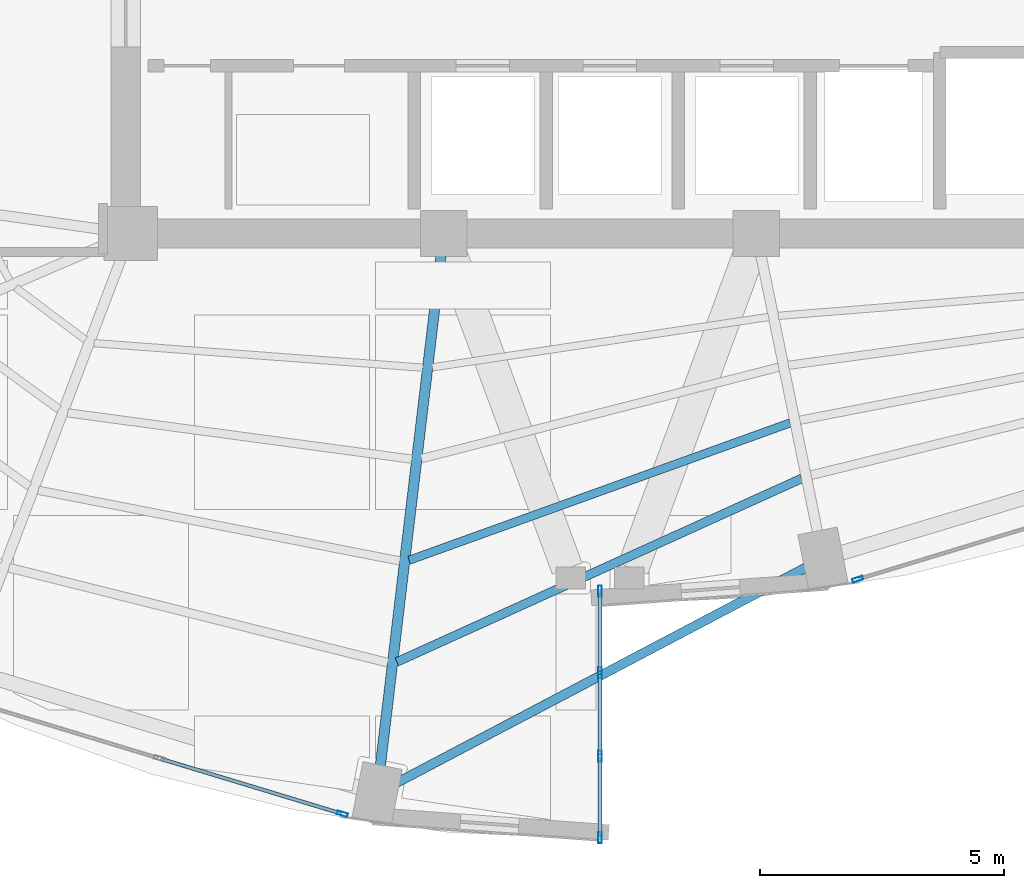
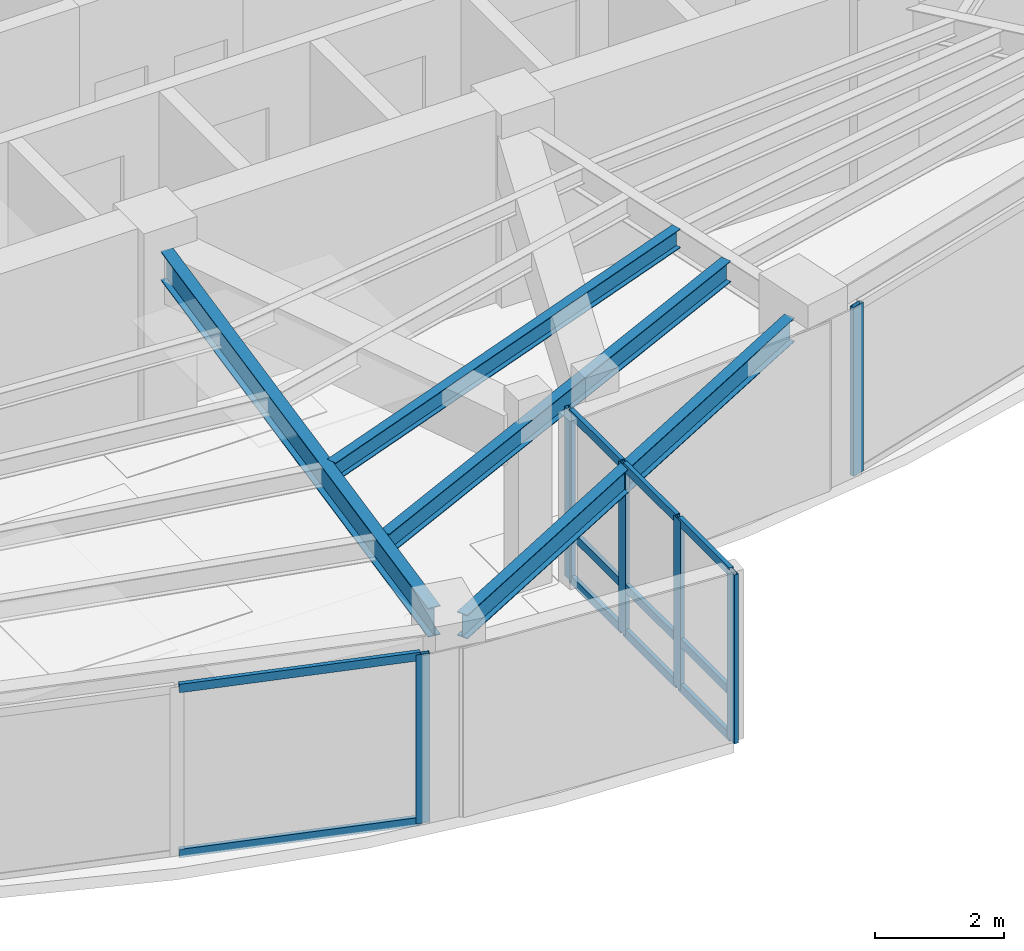
# One storey, part 4 of 20: 17 members, 4 beams, 3 elements without a shape of their own.
"""IFC4 building model written with IfcOpenShell, lengths in metres."""

from ifc_helpers import new_model, si_unit, direction, frame, origin, origin_2d, place, context, subcontext, project, spatial, hollow_rectangle, i_section, extrude, material, layer, layer_set, material_profile, profile_set, type_object, element, aggregate, save


model = new_model("IFC4")

# Units and contexts
model_context = context("Model", 3, precision=1e-05, world=origin(), true_north=direction((0.0, 1.0)))
body_context = subcontext(model_context, "Body", "Model", "MODEL_VIEW")
ifc_project = project(units=[si_unit("LENGTHUNIT", "METRE"), si_unit("AREAUNIT", "SQUARE_METRE"), si_unit("VOLUMEUNIT", "CUBIC_METRE"), si_unit("PLANEANGLEUNIT", "RADIAN"), si_unit("MASSUNIT", "GRAM", prefix="KILO")], contexts=[model_context])

# Site, building, storey
site_placement = place(None, origin())
site = spatial("IfcSite", under=ifc_project, at=site_placement, CompositionType="ELEMENT")
building_placement = place(site_placement, origin())
building = spatial("IfcBuilding", under=site, at=building_placement, Name="Lazwardi Medical Tower", CompositionType="ELEMENT")
storey_placement = place(building_placement, frame((0.0, 0.0, 185.7119140625)))
storey = spatial("IfcBuildingStorey", under=building, at=storey_placement, Name="L48", CompositionType="ELEMENT", Elevation=185.7119140625)

# Beams
ifc_material_1 = material(Name="Steel S355", Category="steel")
ifc_material_profile_1 = material_profile(ifc_material_1, i_section(OverallWidth=0.2099609375, OverallDepth=0.550048828125, WebThickness=0.010986328125, FlangeThickness=0.01708984375, at=origin_2d()), Name="IPE 550")
ifc_profile_set_1 = profile_set([ifc_material_profile_1], Name="Steel S355")
beam_type_1 = type_object("IfcBeamType", Name="BM-RG-W2", PredefinedType="BEAM", material=ifc_profile_set_1)
beam_1_placement = place(storey_placement, frame((31.505859375, 9.50732421875, 2.923095703125), z_axis=(0.117968004211, 0.993017396616, 0.0), x_axis=(-0.993017396616, 0.117968004211, 0.0)))
element("IfcBeam", 1, at=beam_1_placement, inside=storey, type_object=beam_type_1, Name="Radial girder RG-03 R16 L48", PredefinedType="BEAM", context=body_context, shape_type="SweptSolid", body=[
    extrude(i_section(OverallWidth=0.2099609375, OverallDepth=0.550048828125, WebThickness=0.010986328125, FlangeThickness=0.01708984375, at=origin_2d()), origin(), (0.0, 0.0, 1.0), 10.50927734375),
])
ifc_material_profile_2 = material_profile(ifc_material_1, i_section(OverallWidth=0.179931640625, OverallDepth=0.39990234375, WebThickness=0.008544921875, FlangeThickness=0.013427734375, at=origin_2d()), Name="IPE 400")
ifc_profile_set_2 = profile_set([ifc_material_profile_2], Name="Steel S355")
beam_type_2 = type_object("IfcBeamType", Name="BM-SJ-01", PredefinedType="JOIST", material=ifc_profile_set_2)
beam_2_placement = place(storey_placement, frame((31.844970703125, 11.6357421875, 2.998046875), z_axis=(0.910834000674, 0.412772846995, 0.0), x_axis=(-0.412772846995, 0.910834000674, 0.0)))
element("IfcBeam", 2, at=beam_2_placement, inside=storey, type_object=beam_type_2, Name="Secondary joist SJ-01 R1 B16 L48", PredefinedType="JOIST", context=body_context, shape_type="SweptSolid", body=[
    extrude(i_section(OverallWidth=0.179931640625, OverallDepth=0.39990234375, WebThickness=0.008544921875, FlangeThickness=0.013427734375, at=origin_2d()), origin(), (0.0, 0.0, 1.0), 9.09130859375),
])
ifc_material_profile_3 = material_profile(ifc_material_1, i_section(OverallWidth=0.169921875, OverallDepth=0.360107421875, WebThickness=0.008056640625, FlangeThickness=0.0126953125, at=origin_2d()), Name="IPE 360")
ifc_profile_set_3 = profile_set([ifc_material_profile_3], Name="Steel S355")
beam_type_3 = type_object("IfcBeamType", Name="BM-SJ-02", PredefinedType="JOIST", material=ifc_profile_set_3)
beam_3_placement = place(storey_placement, frame((32.095947265625, 13.715576171875, 3.01806640625), z_axis=(0.940747993319, 0.339106492221, 0.0), x_axis=(-0.339106492221, 0.940747993319, 0.0)))
element("IfcBeam", 3, at=beam_3_placement, inside=storey, type_object=beam_type_3, Name="Secondary joist SJ-02 R2 B16 L48", PredefinedType="JOIST", context=body_context, shape_type="SweptSolid", body=[
    extrude(i_section(OverallWidth=0.169921875, OverallDepth=0.360107421875, WebThickness=0.008056640625, FlangeThickness=0.0126953125, at=origin_2d()), origin(), (0.0, 0.0, 1.0), 8.28662109375),
])
ifc_material_profile_4 = material_profile(ifc_material_1, i_section(OverallWidth=0.18994140625, OverallDepth=0.449951171875, WebThickness=0.009521484375, FlangeThickness=0.0146484375, at=origin_2d()), Name="IPE 450")
ifc_profile_set_4 = profile_set([ifc_material_profile_4], Name="Steel S355")
beam_type_4 = type_object("IfcBeamType", Name="BM-SP-01", PredefinedType="SPANDREL", material=ifc_profile_set_4)
beam_4_placement = place(storey_placement, frame((31.793701171875, 9.137451171875, 2.97314453125), z_axis=(0.884926578414, 0.465730556026, 0.0), x_axis=(-0.465730556026, 0.884926578414, 0.0)))
element("IfcBeam", 4, at=beam_4_placement, inside=storey, type_object=beam_type_4, Name="Spandrel beam SP-01 B16 L48", PredefinedType="SPANDREL", context=body_context, shape_type="SweptSolid", body=[
    extrude(i_section(OverallWidth=0.18994140625, OverallDepth=0.449951171875, WebThickness=0.009521484375, FlangeThickness=0.0146484375, at=origin_2d()), origin(), (0.0, 0.0, 1.0), 9.506591796875),
])

# Curtain wall, member
ifc_material_2 = material(Name="Anodised bronze aluminium and solar control glazing", Category="aluminium")
ifc_layer_1 = layer(ifc_material_2, 0.195068359375)
ifc_layer_set_1 = layer_set([ifc_layer_1], Name="Anodised bronze aluminium and solar control glazing")
curtain_wall_type_1 = type_object("IfcCurtainWallType", Name="CW-SYS-03", PredefinedType="NOTDEFINED", material=ifc_layer_set_1)
curtain_wall_1_placement = place(storey_placement, origin())
curtain_wall_1 = element("IfcCurtainWall", 5, at=curtain_wall_1_placement, inside=storey, type_object=curtain_wall_type_1, Name="L48 Unitised bronze curtain wall CW-03", PredefinedType="NOTDEFINED")
ifc_material_3 = material(Name="Anodised bronze aluminium", Category="aluminium")
ifc_material_profile_5 = material_profile(ifc_material_3, hollow_rectangle(XDim=0.074951171875, YDim=0.219970703125, WallThickness=0.00390625, at=origin_2d()), Name="ALU-MULLION 220x75x4")
ifc_profile_set_5 = profile_set([ifc_material_profile_5], Name="Anodised bronze aluminium")
member_type_1 = type_object("IfcMemberType", Name="CW-MUL-01", PredefinedType="MULLION", material=ifc_profile_set_5)
member_1_placement = place(storey_placement, frame((41.27197265625, 13.325927734375, 0.0), z_axis=(0.0, 0.0, 1.0), x_axis=(-0.290280785441, 0.956941516292, 0.0)))
member_1 = element("IfcMember", 6, at=member_1_placement, type_object=member_type_1, Name="CW-03 mullion 1", PredefinedType="MULLION", context=body_context, shape_type="SweptSolid", body=[
    extrude(hollow_rectangle(XDim=0.074951171875, YDim=0.219970703125, WallThickness=0.00390625, at=origin_2d()), origin(), (0.0, 0.0, 1.0), 3.197998046875),
])
aggregate(curtain_wall_1, [member_1])

curtain_wall_2_placement = place(storey_placement, origin())
curtain_wall_2 = element("IfcCurtainWall", 7, at=curtain_wall_2_placement, inside=storey, type_object=curtain_wall_type_1, Name="L48 Unitised bronze curtain wall CW-03", PredefinedType="NOTDEFINED")
member_2_placement = place(storey_placement, frame((30.72802734375, 8.52587890625, 0.0), z_axis=(0.0, 0.0, 1.0), x_axis=(0.290280785441, 0.956941516292, 0.0)))
member_2 = element("IfcMember", 8, at=member_2_placement, type_object=member_type_1, Name="CW-03 mullion 3", PredefinedType="MULLION", context=body_context, shape_type="SweptSolid", body=[
    extrude(hollow_rectangle(XDim=0.074951171875, YDim=0.219970703125, WallThickness=0.00390625, at=origin_2d()), origin(), (0.0, 0.0, 1.0), 3.197998046875),
])

# Curtain wall, members
ifc_layer_2 = layer(ifc_material_2, 0.2099609375)
ifc_layer_set_2 = layer_set([ifc_layer_2], Name="Anodised bronze aluminium and solar control glazing")
curtain_wall_type_2 = type_object("IfcCurtainWallType", Name="CW-SYS-06", PredefinedType="NOTDEFINED", material=ifc_layer_set_2)
curtain_wall_3_placement = place(storey_placement, origin())
curtain_wall_3 = element("IfcCurtainWall", 9, at=curtain_wall_3_placement, inside=storey, type_object=curtain_wall_type_2, Name="L48 Unitised bronze curtain wall CW-06", PredefinedType="NOTDEFINED")
member_3_placement = place(storey_placement, frame((36.0, 8.03759765625, 0.0), z_axis=(0.0, 0.0, 1.0), x_axis=(-1.0, 0.0, 0.0)))
member_3 = element("IfcMember", 10, at=member_3_placement, type_object=member_type_1, Name="CW-06 mullion 1", PredefinedType="MULLION", context=body_context, shape_type="SweptSolid", body=[
    extrude(hollow_rectangle(XDim=0.074951171875, YDim=0.219970703125, WallThickness=0.00390625, at=origin_2d()), origin(), (0.0, 0.0, 1.0), 3.197998046875),
])
member_4_placement = place(storey_placement, frame((36.0, 9.706787109375, 0.0), z_axis=(0.0, 0.0, 1.0), x_axis=(-1.0, 0.0, 0.0)))
member_4 = element("IfcMember", 11, at=member_4_placement, type_object=member_type_1, Name="CW-06 mullion 2", PredefinedType="MULLION", context=body_context, shape_type="SweptSolid", body=[
    extrude(hollow_rectangle(XDim=0.074951171875, YDim=0.219970703125, WallThickness=0.00390625, at=origin_2d()), origin(), (0.0, 0.0, 1.0), 3.197998046875),
])
member_5_placement = place(storey_placement, frame((36.0, 11.413330078125, 0.0), z_axis=(0.0, 0.0, 1.0), x_axis=(-1.0, 0.0, 0.0)))
member_5 = element("IfcMember", 12, at=member_5_placement, type_object=member_type_1, Name="CW-06 mullion 3", PredefinedType="MULLION", context=body_context, shape_type="SweptSolid", body=[
    extrude(hollow_rectangle(XDim=0.074951171875, YDim=0.219970703125, WallThickness=0.00390625, at=origin_2d()), origin(), (0.0, 0.0, 1.0), 3.197998046875),
])
member_6_placement = place(storey_placement, frame((36.0, 13.08251953125, 0.0), z_axis=(0.0, 0.0, 1.0), x_axis=(-1.0, 0.0, 0.0)))
member_6 = element("IfcMember", 13, at=member_6_placement, type_object=member_type_1, Name="CW-06 mullion 4", PredefinedType="MULLION", context=body_context, shape_type="SweptSolid", body=[
    extrude(hollow_rectangle(XDim=0.074951171875, YDim=0.219970703125, WallThickness=0.00390625, at=origin_2d()), origin(), (0.0, 0.0, 1.0), 3.197998046875),
])

# Member
ifc_material_profile_6 = material_profile(ifc_material_3, hollow_rectangle(XDim=0.074951171875, YDim=0.159912109375, WallThickness=0.00390625, at=origin_2d()), Name="ALU-TRANSOM 160x75x4")
ifc_profile_set_6 = profile_set([ifc_material_profile_6], Name="Anodised bronze aluminium")
member_type_2 = type_object("IfcMemberType", Name="CW-TRN-01", PredefinedType="USERDEFINED", material=ifc_profile_set_6)
member_7_placement = place(storey_placement, frame((27.020751953125, 9.650390625, 0.03759765625), z_axis=(0.95695319357, -0.290242287264, 0.0), x_axis=(0.290242287264, 0.95695319357, 0.0)))
member_7 = element("IfcMember", 14, at=member_7_placement, type_object=member_type_2, Name="CW-03 transom 2.1", ObjectType="TRANSOM", PredefinedType="USERDEFINED", context=body_context, shape_type="SweptSolid", body=[
    extrude(hollow_rectangle(XDim=0.074951171875, YDim=0.159912109375, WallThickness=0.00390625, at=origin_2d()), origin(), (0.0, 0.0, 1.0), 3.83642578125),
])

member_8_placement = place(storey_placement, frame((27.020751953125, 9.650390625, 3.16064453125), z_axis=(0.95695319357, -0.290242287264, 0.0), x_axis=(0.290242287264, 0.95695319357, 0.0)))
member_8 = element("IfcMember", 15, at=member_8_placement, type_object=member_type_2, Name="CW-03 transom 2.2", ObjectType="TRANSOM", PredefinedType="USERDEFINED", context=body_context, shape_type="SweptSolid", body=[
    extrude(hollow_rectangle(XDim=0.074951171875, YDim=0.159912109375, WallThickness=0.00390625, at=origin_2d()), origin(), (0.0, 0.0, 1.0), 3.83642578125),
])

aggregate(curtain_wall_2, [member_2, member_7, member_8])

member_9_placement = place(storey_placement, frame((36.0, 8.074951171875, 0.03759765625), z_axis=(0.0, 1.0, 0.0), x_axis=(-1.0, 0.0, 0.0)))
member_9 = element("IfcMember", 16, at=member_9_placement, type_object=member_type_2, Name="CW-06 transom 1.1", ObjectType="TRANSOM", PredefinedType="USERDEFINED", context=body_context, shape_type="SweptSolid", body=[
    extrude(hollow_rectangle(XDim=0.074951171875, YDim=0.159912109375, WallThickness=0.00390625, at=origin_2d()), origin(), (0.0, 0.0, 1.0), 1.59423828125),
])

member_10_placement = place(storey_placement, frame((36.0, 8.074951171875, 0.900146484375), z_axis=(0.0, 1.0, 0.0), x_axis=(-1.0, 0.0, 0.0)))
member_10 = element("IfcMember", 17, at=member_10_placement, type_object=member_type_2, Name="CW-06 transom 1.2", ObjectType="TRANSOM", PredefinedType="USERDEFINED", context=body_context, shape_type="SweptSolid", body=[
    extrude(hollow_rectangle(XDim=0.074951171875, YDim=0.159912109375, WallThickness=0.00390625, at=origin_2d()), origin(), (0.0, 0.0, 1.0), 1.59423828125),
])

member_11_placement = place(storey_placement, frame((36.0, 8.074951171875, 3.16064453125), z_axis=(0.0, 1.0, 0.0), x_axis=(-1.0, 0.0, 0.0)))
member_11 = element("IfcMember", 18, at=member_11_placement, type_object=member_type_2, Name="CW-06 transom 1.3", ObjectType="TRANSOM", PredefinedType="USERDEFINED", context=body_context, shape_type="SweptSolid", body=[
    extrude(hollow_rectangle(XDim=0.074951171875, YDim=0.159912109375, WallThickness=0.00390625, at=origin_2d()), origin(), (0.0, 0.0, 1.0), 1.59423828125),
])

member_12_placement = place(storey_placement, frame((36.0, 9.744140625, 0.03759765625), z_axis=(0.0, 1.0, 0.0), x_axis=(-1.0, 0.0, 0.0)))
member_12 = element("IfcMember", 19, at=member_12_placement, type_object=member_type_2, Name="CW-06 transom 2.1", ObjectType="TRANSOM", PredefinedType="USERDEFINED", context=body_context, shape_type="SweptSolid", body=[
    extrude(hollow_rectangle(XDim=0.074951171875, YDim=0.159912109375, WallThickness=0.00390625, at=origin_2d()), origin(), (0.0, 0.0, 1.0), 1.631591796875),
])

member_13_placement = place(storey_placement, frame((36.0, 9.744140625, 0.900146484375), z_axis=(0.0, 1.0, 0.0), x_axis=(-1.0, 0.0, 0.0)))
member_13 = element("IfcMember", 20, at=member_13_placement, type_object=member_type_2, Name="CW-06 transom 2.2", ObjectType="TRANSOM", PredefinedType="USERDEFINED", context=body_context, shape_type="SweptSolid", body=[
    extrude(hollow_rectangle(XDim=0.074951171875, YDim=0.159912109375, WallThickness=0.00390625, at=origin_2d()), origin(), (0.0, 0.0, 1.0), 1.631591796875),
])

member_14_placement = place(storey_placement, frame((36.0, 9.744140625, 3.16064453125), z_axis=(0.0, 1.0, 0.0), x_axis=(-1.0, 0.0, 0.0)))
member_14 = element("IfcMember", 21, at=member_14_placement, type_object=member_type_2, Name="CW-06 transom 2.3", ObjectType="TRANSOM", PredefinedType="USERDEFINED", context=body_context, shape_type="SweptSolid", body=[
    extrude(hollow_rectangle(XDim=0.074951171875, YDim=0.159912109375, WallThickness=0.00390625, at=origin_2d()), origin(), (0.0, 0.0, 1.0), 1.631591796875),
])

member_15_placement = place(storey_placement, frame((36.0, 11.450927734375, 0.03759765625), z_axis=(0.0, 1.0, 0.0), x_axis=(-1.0, 0.0, 0.0)))
member_15 = element("IfcMember", 22, at=member_15_placement, type_object=member_type_2, Name="CW-06 transom 3.1", ObjectType="TRANSOM", PredefinedType="USERDEFINED", context=body_context, shape_type="SweptSolid", body=[
    extrude(hollow_rectangle(XDim=0.074951171875, YDim=0.159912109375, WallThickness=0.00390625, at=origin_2d()), origin(), (0.0, 0.0, 1.0), 1.593994140625),
])

member_16_placement = place(storey_placement, frame((36.0, 11.450927734375, 0.900146484375), z_axis=(0.0, 1.0, 0.0), x_axis=(-1.0, 0.0, 0.0)))
member_16 = element("IfcMember", 23, at=member_16_placement, type_object=member_type_2, Name="CW-06 transom 3.2", ObjectType="TRANSOM", PredefinedType="USERDEFINED", context=body_context, shape_type="SweptSolid", body=[
    extrude(hollow_rectangle(XDim=0.074951171875, YDim=0.159912109375, WallThickness=0.00390625, at=origin_2d()), origin(), (0.0, 0.0, 1.0), 1.593994140625),
])

member_17_placement = place(storey_placement, frame((36.0, 11.450927734375, 3.16064453125), z_axis=(0.0, 1.0, 0.0), x_axis=(-1.0, 0.0, 0.0)))
member_17 = element("IfcMember", 24, at=member_17_placement, type_object=member_type_2, Name="CW-06 transom 3.3", ObjectType="TRANSOM", PredefinedType="USERDEFINED", context=body_context, shape_type="SweptSolid", body=[
    extrude(hollow_rectangle(XDim=0.074951171875, YDim=0.159912109375, WallThickness=0.00390625, at=origin_2d()), origin(), (0.0, 0.0, 1.0), 1.593994140625),
])

aggregate(curtain_wall_3, [member_3, member_4, member_5, member_6, member_9, member_10, member_11, member_12, member_13, member_14, member_15, member_16, member_17])

save(model, "model.ifc")
